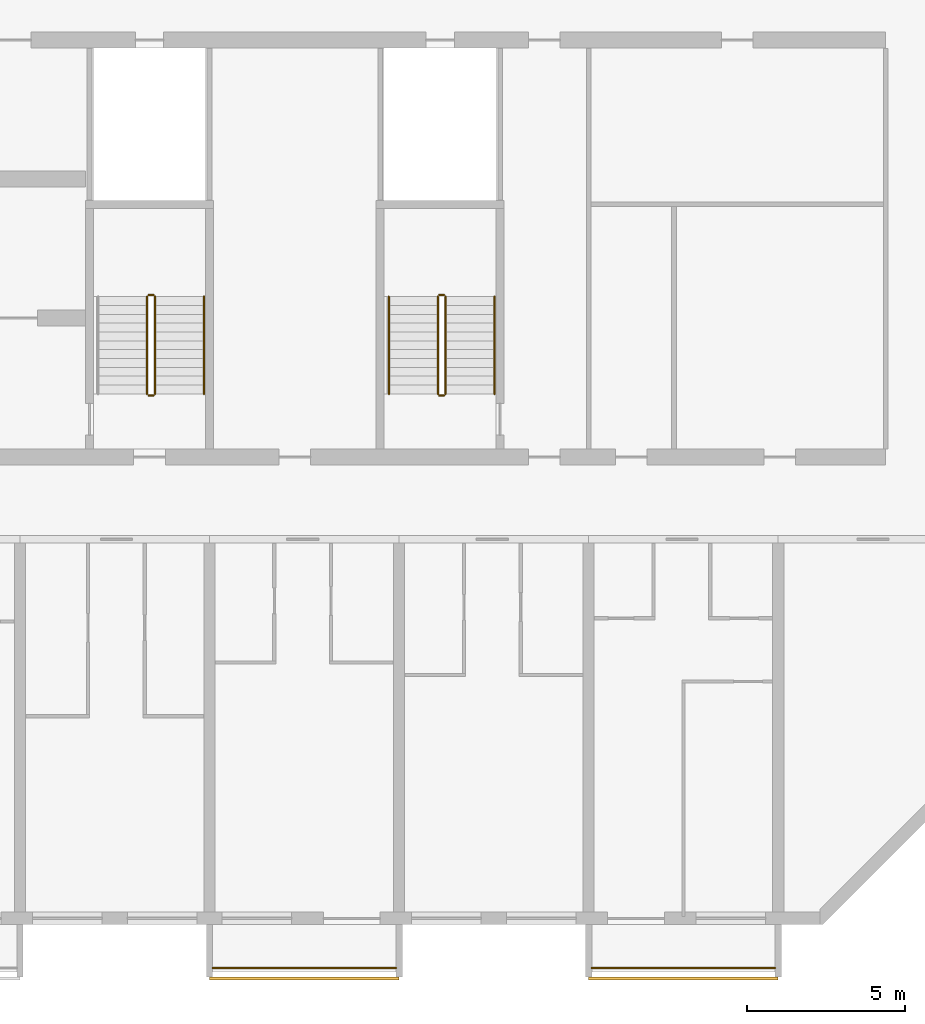
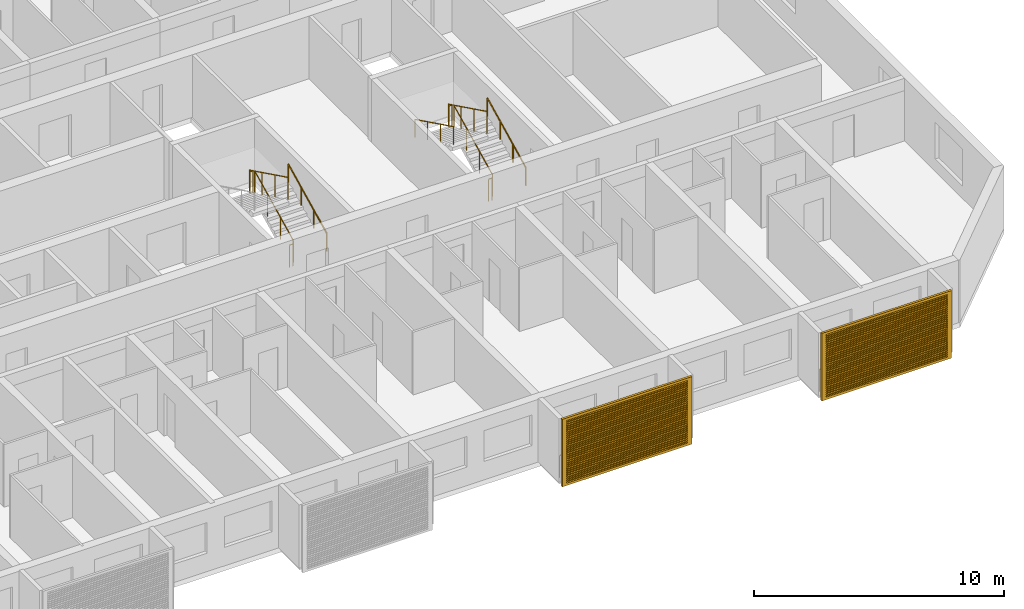
# One storey, part 26 of 30: 13 railings, 2 shading devices.
"""IFC4 building model written with IfcOpenShell, lengths in metres."""

from ifc_helpers import new_model, si_unit, direction, frame, origin, origin_2d, place, context, subcontext, project, spatial, polyline, circle, outline, extrude, source, transform, mapped, material, material_profile, profile_set, type_object, element, save


model = new_model("IFC4")

# Units and contexts
model_context = context("Model", 3, precision=1e-05, world=origin(), true_north=direction((0.0, 1.0)))
body_context = subcontext(model_context, "Body", "Model", "MODEL_VIEW")
ifc_project = project(units=[si_unit("LENGTHUNIT", "METRE"), si_unit("AREAUNIT", "SQUARE_METRE"), si_unit("VOLUMEUNIT", "CUBIC_METRE"), si_unit("PLANEANGLEUNIT", "RADIAN"), si_unit("MASSUNIT", "GRAM", prefix="KILO")], contexts=[model_context])

# Site, building, storey
site_placement = place(None, origin())
site = spatial("IfcSite", under=ifc_project, at=site_placement, CompositionType="ELEMENT")
building_placement = place(site_placement, origin())
building = spatial("IfcBuilding", under=site, at=building_placement, Name="Poui Terraces", CompositionType="ELEMENT")
storey_placement = place(building_placement, frame((0.0, 0.0, 99.300048828125)))
storey = spatial("IfcBuildingStorey", under=building, at=storey_placement, Name="L27", CompositionType="ELEMENT", Elevation=99.300048828125)

# Railings
ifc_material_1 = material(Name="Painted steel fretwork", Category="steel")
railing_type_1 = type_object("IfcRailingType", Name="BALCONY GUARD 1100", PredefinedType="GUARDRAIL", material=ifc_material_1)
for number, where, name in (
    (1, (72.10009765625, -1.570068359375, 0.0), "BALCONY GUARD"),
    (2, (84.10009765625, -1.570068359375, 0.0), "BALCONY GUARD"),
):
    element("IfcRailing", number, at=place(storey_placement, frame(where)), inside=storey, type_object=railing_type_1, Name=name, PredefinedType="GUARDRAIL", context=body_context, shape_type="SweptSolid", body=[
        extrude(circle(Radius=0.02392578125, at=origin_2d()), frame((0.0, 0.0, 1.076171875), z_axis=(1.0, 0.0, 0.0), x_axis=(0.0, 1.0, 0.0)), (0.0, 0.0, 1.0), 5.7998046875),
        extrude(circle(Radius=0.02099609375, at=origin_2d()), origin(), (0.0, 0.0, 1.0), 1.052001953125),
        extrude(circle(Radius=0.02099609375, at=origin_2d()), frame((0.966552734375, 0.0, 0.0)), (0.0, 0.0, 1.0), 1.052001953125),
        extrude(circle(Radius=0.02099609375, at=origin_2d()), frame((1.933349609375, 0.0, 0.0)), (0.0, 0.0, 1.0), 1.052001953125),
        extrude(circle(Radius=0.02099609375, at=origin_2d()), frame((2.89990234375, 0.0, 0.0)), (0.0, 0.0, 1.0), 1.052001953125),
        extrude(circle(Radius=0.02099609375, at=origin_2d()), frame((3.866455078125, 0.0, 0.0)), (0.0, 0.0, 1.0), 1.052001953125),
        extrude(circle(Radius=0.02099609375, at=origin_2d()), frame((4.833251953125, 0.0, 0.0)), (0.0, 0.0, 1.0), 1.052001953125),
        extrude(circle(Radius=0.02099609375, at=origin_2d()), frame((5.7998046875, 0.0, 0.0)), (0.0, 0.0, 1.0), 1.052001953125),
    ])
ifc_material_2 = material(Name="Galvanised steel balustrade", Category="steel")
railing_type_2 = type_object("IfcRailingType", Name="STAIR GUARD 1100", PredefinedType="GUARDRAIL", material=ifc_material_2)
railing_1_placement = place(storey_placement, frame((70.27490234375, 16.60009765625, 0.137451171875)))
element("IfcRailing", 3, at=railing_1_placement, inside=storey, type_object=railing_type_2, Name="L27 ST-CE stair guard 1", PredefinedType="GUARDRAIL", context=body_context, shape_type="SweptSolid", body=[
    extrude(circle(Radius=0.02392578125, at=origin_2d()), frame((0.0, 0.0, 1.076171875), z_axis=(0.0, 0.897606190399, 0.440798283751), x_axis=(-1.0, 0.0, 0.0)), (0.0, 0.0, 1.0), 3.43115234375),
    extrude(circle(Radius=0.02099609375, at=origin_2d()), origin(), (0.0, 0.0, 1.0), 1.052001953125),
    extrude(circle(Radius=0.02099609375, at=origin_2d()), frame((0.0, 1.026611328125, 0.504150390625)), (0.0, 0.0, 1.0), 1.052001953125),
    extrude(circle(Radius=0.02099609375, at=origin_2d()), frame((0.0, 2.05322265625, 1.00830078125)), (0.0, 0.0, 1.0), 1.052001953125),
    extrude(circle(Radius=0.02099609375, at=origin_2d()), frame((0.0, 3.079833984375, 1.512451171875)), (0.0, 0.0, 1.0), 1.052001953125),
])
railing_2_placement = place(storey_placement, frame((70.22509765625, 19.72998046875, 1.64990234375)))
element("IfcRailing", 4, at=railing_2_placement, inside=storey, type_object=railing_type_2, Name="L27 ST-CE stair guard 2", PredefinedType="GUARDRAIL", context=body_context, shape_type="SweptSolid", body=[
    extrude(circle(Radius=0.02392578125, at=origin_2d()), frame((0.0, 0.0, 1.076171875), z_axis=(-1.0, 0.0, 0.0), x_axis=(0.0, -1.0, 0.0)), (0.0, 0.0, 1.0), 0.150146484375),
    extrude(circle(Radius=0.02099609375, at=origin_2d()), origin(), (0.0, 0.0, 1.0), 1.052001953125),
    extrude(circle(Radius=0.02099609375, at=origin_2d()), frame((-0.150146484375, 0.0, 0.0)), (0.0, 0.0, 1.0), 1.052001953125),
])
railing_3_placement = place(storey_placement, frame((70.02490234375, 19.679931640625, 1.787353515625)))
element("IfcRailing", 5, at=railing_3_placement, inside=storey, type_object=railing_type_2, Name="L27 ST-CE stair guard 3", PredefinedType="GUARDRAIL", context=body_context, shape_type="SweptSolid", body=[
    extrude(circle(Radius=0.02392578125, at=origin_2d()), frame((0.0, 0.0, 1.076171875), z_axis=(0.0, -0.897578036475, 0.440855609512), x_axis=(1.0, 0.0, 0.0)), (0.0, 0.0, 1.0), 3.43115234375),
    extrude(circle(Radius=0.02099609375, at=origin_2d()), origin(), (0.0, 0.0, 1.0), 1.052001953125),
    extrude(circle(Radius=0.02099609375, at=origin_2d()), frame((0.0, -1.026611328125, 0.504150390625)), (0.0, 0.0, 1.0), 1.052001953125),
    extrude(circle(Radius=0.02099609375, at=origin_2d()), frame((0.0, -2.05322265625, 1.008544921875)), (0.0, 0.0, 1.0), 1.052001953125),
    extrude(circle(Radius=0.02099609375, at=origin_2d()), frame((0.0, -3.079833984375, 1.5126953125)), (0.0, 0.0, 1.0), 1.052001953125),
])
railing_4_placement = place(storey_placement, frame((70.22509765625, 16.550048828125, 0.0)))
element("IfcRailing", 6, at=railing_4_placement, inside=storey, type_object=railing_type_2, Name="L27 ST-CE stair guard 4", PredefinedType="GUARDRAIL", context=body_context, shape_type="SweptSolid", body=[
    extrude(circle(Radius=0.02392578125, at=origin_2d()), frame((0.0, 0.0, 1.076171875), z_axis=(-1.0, 0.0, 0.0), x_axis=(0.0, -1.0, 0.0)), (0.0, 0.0, 1.0), 0.150146484375),
    extrude(circle(Radius=0.02099609375, at=origin_2d()), origin(), (0.0, 0.0, 1.0), 1.052001953125),
    extrude(circle(Radius=0.02099609375, at=origin_2d()), frame((-0.150146484375, 0.0, 0.0)), (0.0, 0.0, 1.0), 1.052001953125),
])
railing_5_placement = place(storey_placement, frame((79.47509765625, 16.60009765625, 0.137451171875)))
element("IfcRailing", 7, at=railing_5_placement, inside=storey, type_object=railing_type_2, Name="L27 ST-E stair guard 1", PredefinedType="GUARDRAIL", context=body_context, shape_type="SweptSolid", body=[
    extrude(circle(Radius=0.02392578125, at=origin_2d()), frame((0.0, 0.0, 1.076171875), z_axis=(0.0, 0.897606190399, 0.440798283751), x_axis=(-1.0, 0.0, 0.0)), (0.0, 0.0, 1.0), 3.43115234375),
    extrude(circle(Radius=0.02099609375, at=origin_2d()), origin(), (0.0, 0.0, 1.0), 1.052001953125),
    extrude(circle(Radius=0.02099609375, at=origin_2d()), frame((0.0, 1.026611328125, 0.504150390625)), (0.0, 0.0, 1.0), 1.052001953125),
    extrude(circle(Radius=0.02099609375, at=origin_2d()), frame((0.0, 2.05322265625, 1.00830078125)), (0.0, 0.0, 1.0), 1.052001953125),
    extrude(circle(Radius=0.02099609375, at=origin_2d()), frame((0.0, 3.079833984375, 1.512451171875)), (0.0, 0.0, 1.0), 1.052001953125),
])
railing_6_placement = place(storey_placement, frame((79.425048828125, 19.72998046875, 1.64990234375)))
element("IfcRailing", 8, at=railing_6_placement, inside=storey, type_object=railing_type_2, Name="L27 ST-E stair guard 2", PredefinedType="GUARDRAIL", context=body_context, shape_type="SweptSolid", body=[
    extrude(circle(Radius=0.02392578125, at=origin_2d()), frame((0.0, 0.0, 1.076171875), z_axis=(-1.0, 0.0, 0.0), x_axis=(0.0, -1.0, 0.0)), (0.0, 0.0, 1.0), 0.150146484375),
    extrude(circle(Radius=0.02099609375, at=origin_2d()), origin(), (0.0, 0.0, 1.0), 1.052001953125),
    extrude(circle(Radius=0.02099609375, at=origin_2d()), frame((-0.150146484375, 0.0, 0.0)), (0.0, 0.0, 1.0), 1.052001953125),
])
railing_7_placement = place(storey_placement, frame((79.22509765625, 19.679931640625, 1.787353515625)))
element("IfcRailing", 9, at=railing_7_placement, inside=storey, type_object=railing_type_2, Name="L27 ST-E stair guard 3", PredefinedType="GUARDRAIL", context=body_context, shape_type="SweptSolid", body=[
    extrude(circle(Radius=0.02392578125, at=origin_2d()), frame((0.0, 0.0, 1.076171875), z_axis=(0.0, -0.897578036475, 0.440855609512), x_axis=(1.0, 0.0, 0.0)), (0.0, 0.0, 1.0), 3.43115234375),
    extrude(circle(Radius=0.02099609375, at=origin_2d()), origin(), (0.0, 0.0, 1.0), 1.052001953125),
    extrude(circle(Radius=0.02099609375, at=origin_2d()), frame((0.0, -1.026611328125, 0.504150390625)), (0.0, 0.0, 1.0), 1.052001953125),
    extrude(circle(Radius=0.02099609375, at=origin_2d()), frame((0.0, -2.05322265625, 1.008544921875)), (0.0, 0.0, 1.0), 1.052001953125),
    extrude(circle(Radius=0.02099609375, at=origin_2d()), frame((0.0, -3.079833984375, 1.5126953125)), (0.0, 0.0, 1.0), 1.052001953125),
])
railing_8_placement = place(storey_placement, frame((79.425048828125, 16.550048828125, 0.0)))
element("IfcRailing", 10, at=railing_8_placement, inside=storey, type_object=railing_type_2, Name="L27 ST-E stair guard 4", PredefinedType="GUARDRAIL", context=body_context, shape_type="SweptSolid", body=[
    extrude(circle(Radius=0.02392578125, at=origin_2d()), frame((0.0, 0.0, 1.076171875), z_axis=(-1.0, 0.0, 0.0), x_axis=(0.0, -1.0, 0.0)), (0.0, 0.0, 1.0), 0.150146484375),
    extrude(circle(Radius=0.02099609375, at=origin_2d()), origin(), (0.0, 0.0, 1.0), 1.052001953125),
    extrude(circle(Radius=0.02099609375, at=origin_2d()), frame((-0.150146484375, 0.0, 0.0)), (0.0, 0.0, 1.0), 1.052001953125),
])
ifc_material_3 = material(Name="Stainless steel handrail", Category="steel")
railing_type_3 = type_object("IfcRailingType", Name="STAIR HANDRAIL 900", PredefinedType="HANDRAIL", material=ifc_material_3)
for number, where, name in (
    (11, (71.824951171875, 16.60009765625, 0.137451171875), "L27 ST-CE stair handrail 1"),
    (12, (81.02490234375, 16.60009765625, 0.137451171875), "L27 ST-E stair handrail 1"),
):
    element("IfcRailing", number, at=place(storey_placement, frame(where)), inside=storey, type_object=railing_type_3, Name=name, PredefinedType="HANDRAIL", context=body_context, shape_type="SweptSolid", body=[
        extrude(circle(Radius=0.02392578125, at=origin_2d()), frame((0.0, 0.0, 0.8759765625), z_axis=(0.0, 0.897606190399, 0.440798283751), x_axis=(-1.0, 0.0, 0.0)), (0.0, 0.0, 1.0), 3.43115234375),
        extrude(circle(Radius=0.02099609375, at=origin_2d()), origin(), (0.0, 0.0, 1.0), 0.851806640625),
        extrude(circle(Radius=0.02099609375, at=origin_2d()), frame((0.0, 1.026611328125, 0.504150390625)), (0.0, 0.0, 1.0), 0.851806640625),
        extrude(circle(Radius=0.02099609375, at=origin_2d()), frame((0.0, 2.05322265625, 1.00830078125)), (0.0, 0.0, 1.0), 0.851806640625),
        extrude(circle(Radius=0.02099609375, at=origin_2d()), frame((0.0, 3.079833984375, 1.512451171875)), (0.0, 0.0, 1.0), 0.851806640625),
    ])
railing_9_placement = place(storey_placement, frame((77.675048828125, 19.679931640625, 1.787353515625)))
element("IfcRailing", 13, at=railing_9_placement, inside=storey, type_object=railing_type_3, Name="L27 ST-E stair handrail 2", PredefinedType="HANDRAIL", context=body_context, shape_type="SweptSolid", body=[
    extrude(circle(Radius=0.02392578125, at=origin_2d()), frame((0.0, 0.0, 0.8759765625), z_axis=(0.0, -0.897578036475, 0.440855609512), x_axis=(1.0, 0.0, 0.0)), (0.0, 0.0, 1.0), 3.43115234375),
    extrude(circle(Radius=0.02099609375, at=origin_2d()), origin(), (0.0, 0.0, 1.0), 0.851806640625),
    extrude(circle(Radius=0.02099609375, at=origin_2d()), frame((0.0, -1.026611328125, 0.504150390625)), (0.0, 0.0, 1.0), 0.851806640625),
    extrude(circle(Radius=0.02099609375, at=origin_2d()), frame((0.0, -2.05322265625, 1.008544921875)), (0.0, 0.0, 1.0), 0.851806640625),
    extrude(circle(Radius=0.02099609375, at=origin_2d()), frame((0.0, -3.079833984375, 1.5126953125)), (0.0, 0.0, 1.0), 0.851806640625),
])

# Shading devices
ifc_material_4 = material(Name="Aluminium louvre", Category="aluminium")
ifc_material_profile = material_profile(ifc_material_4, outline(polyline([(-3.0, -1.64990234375), (3.0, -1.64990234375), (3.0, 1.64990234375), (-3.0, 1.64990234375), (-3.0, -1.64990234375)]), holes=[polyline([(-2.800048828125, -1.530029296875), (2.800048828125, -1.530029296875), (2.800048828125, -1.469970703125), (-2.800048828125, -1.469970703125), (-2.800048828125, -1.530029296875)]), polyline([(-2.800048828125, -1.429931640625), (2.800048828125, -1.429931640625), (2.800048828125, -1.3701171875), (-2.800048828125, -1.3701171875), (-2.800048828125, -1.429931640625)]), polyline([(-2.800048828125, -1.330078125), (2.800048828125, -1.330078125), (2.800048828125, -1.27001953125), (-2.800048828125, -1.27001953125), (-2.800048828125, -1.330078125)]), polyline([(-2.800048828125, -1.22998046875), (2.800048828125, -1.22998046875), (2.800048828125, -1.169921875), (-2.800048828125, -1.169921875), (-2.800048828125, -1.22998046875)]), polyline([(-2.800048828125, -1.1298828125), (2.800048828125, -1.1298828125), (2.800048828125, -1.070068359375), (-2.800048828125, -1.070068359375), (-2.800048828125, -1.1298828125)]), polyline([(-2.800048828125, -1.030029296875), (2.800048828125, -1.030029296875), (2.800048828125, -0.969970703125), (-2.800048828125, -0.969970703125), (-2.800048828125, -1.030029296875)]), polyline([(-2.800048828125, -0.929931640625), (2.800048828125, -0.929931640625), (2.800048828125, -0.8701171875), (-2.800048828125, -0.8701171875), (-2.800048828125, -0.929931640625)]), polyline([(-2.800048828125, -0.830078125), (2.800048828125, -0.830078125), (2.800048828125, -0.77001953125), (-2.800048828125, -0.77001953125), (-2.800048828125, -0.830078125)]), polyline([(-2.800048828125, -0.72998046875), (2.800048828125, -0.72998046875), (2.800048828125, -0.669921875), (-2.800048828125, -0.669921875), (-2.800048828125, -0.72998046875)]), polyline([(-2.800048828125, -0.6298828125), (2.800048828125, -0.6298828125), (2.800048828125, -0.570068359375), (-2.800048828125, -0.570068359375), (-2.800048828125, -0.6298828125)]), polyline([(-2.800048828125, -0.530029296875), (2.800048828125, -0.530029296875), (2.800048828125, -0.469970703125), (-2.800048828125, -0.469970703125), (-2.800048828125, -0.530029296875)]), polyline([(-2.800048828125, -0.429931640625), (2.800048828125, -0.429931640625), (2.800048828125, -0.3701171875), (-2.800048828125, -0.3701171875), (-2.800048828125, -0.429931640625)]), polyline([(-2.800048828125, -0.330078125), (2.800048828125, -0.330078125), (2.800048828125, -0.27001953125), (-2.800048828125, -0.27001953125), (-2.800048828125, -0.330078125)]), polyline([(-2.800048828125, -0.22998046875), (2.800048828125, -0.22998046875), (2.800048828125, -0.169921875), (-2.800048828125, -0.169921875), (-2.800048828125, -0.22998046875)]), polyline([(-2.800048828125, -0.1298828125), (2.800048828125, -0.1298828125), (2.800048828125, -0.070068359375), (-2.800048828125, -0.070068359375), (-2.800048828125, -0.1298828125)]), polyline([(-2.800048828125, -0.030029296875), (2.800048828125, -0.030029296875), (2.800048828125, 0.030029296875), (-2.800048828125, 0.030029296875), (-2.800048828125, -0.030029296875)]), polyline([(-2.800048828125, 0.070068359375), (2.800048828125, 0.070068359375), (2.800048828125, 0.1298828125), (-2.800048828125, 0.1298828125), (-2.800048828125, 0.070068359375)]), polyline([(-2.800048828125, 0.169921875), (2.800048828125, 0.169921875), (2.800048828125, 0.22998046875), (-2.800048828125, 0.22998046875), (-2.800048828125, 0.169921875)]), polyline([(-2.800048828125, 0.27001953125), (2.800048828125, 0.27001953125), (2.800048828125, 0.330078125), (-2.800048828125, 0.330078125), (-2.800048828125, 0.27001953125)]), polyline([(-2.800048828125, 0.3701171875), (2.800048828125, 0.3701171875), (2.800048828125, 0.429931640625), (-2.800048828125, 0.429931640625), (-2.800048828125, 0.3701171875)]), polyline([(-2.800048828125, 0.469970703125), (2.800048828125, 0.469970703125), (2.800048828125, 0.530029296875), (-2.800048828125, 0.530029296875), (-2.800048828125, 0.469970703125)]), polyline([(-2.800048828125, 0.570068359375), (2.800048828125, 0.570068359375), (2.800048828125, 0.6298828125), (-2.800048828125, 0.6298828125), (-2.800048828125, 0.570068359375)]), polyline([(-2.800048828125, 0.669921875), (2.800048828125, 0.669921875), (2.800048828125, 0.72998046875), (-2.800048828125, 0.72998046875), (-2.800048828125, 0.669921875)]), polyline([(-2.800048828125, 0.77001953125), (2.800048828125, 0.77001953125), (2.800048828125, 0.830078125), (-2.800048828125, 0.830078125), (-2.800048828125, 0.77001953125)]), polyline([(-2.800048828125, 0.8701171875), (2.800048828125, 0.8701171875), (2.800048828125, 0.929931640625), (-2.800048828125, 0.929931640625), (-2.800048828125, 0.8701171875)]), polyline([(-2.800048828125, 0.969970703125), (2.800048828125, 0.969970703125), (2.800048828125, 1.030029296875), (-2.800048828125, 1.030029296875), (-2.800048828125, 0.969970703125)]), polyline([(-2.800048828125, 1.070068359375), (2.800048828125, 1.070068359375), (2.800048828125, 1.1298828125), (-2.800048828125, 1.1298828125), (-2.800048828125, 1.070068359375)]), polyline([(-2.800048828125, 1.169921875), (2.800048828125, 1.169921875), (2.800048828125, 1.22998046875), (-2.800048828125, 1.22998046875), (-2.800048828125, 1.169921875)]), polyline([(-2.800048828125, 1.27001953125), (2.800048828125, 1.27001953125), (2.800048828125, 1.330078125), (-2.800048828125, 1.330078125), (-2.800048828125, 1.27001953125)]), polyline([(-2.800048828125, 1.3701171875), (2.800048828125, 1.3701171875), (2.800048828125, 1.429931640625), (-2.800048828125, 1.429931640625), (-2.800048828125, 1.3701171875)]), polyline([(-2.800048828125, 1.469970703125), (2.800048828125, 1.469970703125), (2.800048828125, 1.530029296875), (-2.800048828125, 1.530029296875), (-2.800048828125, 1.469970703125)])]), Name="JALOUSIE LOUVRE SHUTTER 6000X3300")
ifc_profile_set = profile_set([ifc_material_profile], Name="Aluminium louvre")
shading_device_type = type_object("IfcShadingDeviceType", Name="JALOUSIE LOUVRE SHUTTER 6000X3300", PredefinedType="JALOUSIE", material=ifc_profile_set)
shared_shape = source(origin(), body_context, "Body", "SweptSolid", [
    extrude(outline(polyline([(-3.0, -1.64990234375), (3.0, -1.64990234375), (3.0, 1.64990234375), (-3.0, 1.64990234375), (-3.0, -1.64990234375)]), holes=[polyline([(-2.800048828125, -1.530029296875), (2.800048828125, -1.530029296875), (2.800048828125, -1.469970703125), (-2.800048828125, -1.469970703125), (-2.800048828125, -1.530029296875)]), polyline([(-2.800048828125, -1.429931640625), (2.800048828125, -1.429931640625), (2.800048828125, -1.3701171875), (-2.800048828125, -1.3701171875), (-2.800048828125, -1.429931640625)]), polyline([(-2.800048828125, -1.330078125), (2.800048828125, -1.330078125), (2.800048828125, -1.27001953125), (-2.800048828125, -1.27001953125), (-2.800048828125, -1.330078125)]), polyline([(-2.800048828125, -1.22998046875), (2.800048828125, -1.22998046875), (2.800048828125, -1.169921875), (-2.800048828125, -1.169921875), (-2.800048828125, -1.22998046875)]), polyline([(-2.800048828125, -1.1298828125), (2.800048828125, -1.1298828125), (2.800048828125, -1.070068359375), (-2.800048828125, -1.070068359375), (-2.800048828125, -1.1298828125)]), polyline([(-2.800048828125, -1.030029296875), (2.800048828125, -1.030029296875), (2.800048828125, -0.969970703125), (-2.800048828125, -0.969970703125), (-2.800048828125, -1.030029296875)]), polyline([(-2.800048828125, -0.929931640625), (2.800048828125, -0.929931640625), (2.800048828125, -0.8701171875), (-2.800048828125, -0.8701171875), (-2.800048828125, -0.929931640625)]), polyline([(-2.800048828125, -0.830078125), (2.800048828125, -0.830078125), (2.800048828125, -0.77001953125), (-2.800048828125, -0.77001953125), (-2.800048828125, -0.830078125)]), polyline([(-2.800048828125, -0.72998046875), (2.800048828125, -0.72998046875), (2.800048828125, -0.669921875), (-2.800048828125, -0.669921875), (-2.800048828125, -0.72998046875)]), polyline([(-2.800048828125, -0.6298828125), (2.800048828125, -0.6298828125), (2.800048828125, -0.570068359375), (-2.800048828125, -0.570068359375), (-2.800048828125, -0.6298828125)]), polyline([(-2.800048828125, -0.530029296875), (2.800048828125, -0.530029296875), (2.800048828125, -0.469970703125), (-2.800048828125, -0.469970703125), (-2.800048828125, -0.530029296875)]), polyline([(-2.800048828125, -0.429931640625), (2.800048828125, -0.429931640625), (2.800048828125, -0.3701171875), (-2.800048828125, -0.3701171875), (-2.800048828125, -0.429931640625)]), polyline([(-2.800048828125, -0.330078125), (2.800048828125, -0.330078125), (2.800048828125, -0.27001953125), (-2.800048828125, -0.27001953125), (-2.800048828125, -0.330078125)]), polyline([(-2.800048828125, -0.22998046875), (2.800048828125, -0.22998046875), (2.800048828125, -0.169921875), (-2.800048828125, -0.169921875), (-2.800048828125, -0.22998046875)]), polyline([(-2.800048828125, -0.1298828125), (2.800048828125, -0.1298828125), (2.800048828125, -0.070068359375), (-2.800048828125, -0.070068359375), (-2.800048828125, -0.1298828125)]), polyline([(-2.800048828125, -0.030029296875), (2.800048828125, -0.030029296875), (2.800048828125, 0.030029296875), (-2.800048828125, 0.030029296875), (-2.800048828125, -0.030029296875)]), polyline([(-2.800048828125, 0.070068359375), (2.800048828125, 0.070068359375), (2.800048828125, 0.1298828125), (-2.800048828125, 0.1298828125), (-2.800048828125, 0.070068359375)]), polyline([(-2.800048828125, 0.169921875), (2.800048828125, 0.169921875), (2.800048828125, 0.22998046875), (-2.800048828125, 0.22998046875), (-2.800048828125, 0.169921875)]), polyline([(-2.800048828125, 0.27001953125), (2.800048828125, 0.27001953125), (2.800048828125, 0.330078125), (-2.800048828125, 0.330078125), (-2.800048828125, 0.27001953125)]), polyline([(-2.800048828125, 0.3701171875), (2.800048828125, 0.3701171875), (2.800048828125, 0.429931640625), (-2.800048828125, 0.429931640625), (-2.800048828125, 0.3701171875)]), polyline([(-2.800048828125, 0.469970703125), (2.800048828125, 0.469970703125), (2.800048828125, 0.530029296875), (-2.800048828125, 0.530029296875), (-2.800048828125, 0.469970703125)]), polyline([(-2.800048828125, 0.570068359375), (2.800048828125, 0.570068359375), (2.800048828125, 0.6298828125), (-2.800048828125, 0.6298828125), (-2.800048828125, 0.570068359375)]), polyline([(-2.800048828125, 0.669921875), (2.800048828125, 0.669921875), (2.800048828125, 0.72998046875), (-2.800048828125, 0.72998046875), (-2.800048828125, 0.669921875)]), polyline([(-2.800048828125, 0.77001953125), (2.800048828125, 0.77001953125), (2.800048828125, 0.830078125), (-2.800048828125, 0.830078125), (-2.800048828125, 0.77001953125)]), polyline([(-2.800048828125, 0.8701171875), (2.800048828125, 0.8701171875), (2.800048828125, 0.929931640625), (-2.800048828125, 0.929931640625), (-2.800048828125, 0.8701171875)]), polyline([(-2.800048828125, 0.969970703125), (2.800048828125, 0.969970703125), (2.800048828125, 1.030029296875), (-2.800048828125, 1.030029296875), (-2.800048828125, 0.969970703125)]), polyline([(-2.800048828125, 1.070068359375), (2.800048828125, 1.070068359375), (2.800048828125, 1.1298828125), (-2.800048828125, 1.1298828125), (-2.800048828125, 1.070068359375)]), polyline([(-2.800048828125, 1.169921875), (2.800048828125, 1.169921875), (2.800048828125, 1.22998046875), (-2.800048828125, 1.22998046875), (-2.800048828125, 1.169921875)]), polyline([(-2.800048828125, 1.27001953125), (2.800048828125, 1.27001953125), (2.800048828125, 1.330078125), (-2.800048828125, 1.330078125), (-2.800048828125, 1.27001953125)]), polyline([(-2.800048828125, 1.3701171875), (2.800048828125, 1.3701171875), (2.800048828125, 1.429931640625), (-2.800048828125, 1.429931640625), (-2.800048828125, 1.3701171875)]), polyline([(-2.800048828125, 1.469970703125), (2.800048828125, 1.469970703125), (2.800048828125, 1.530029296875), (-2.800048828125, 1.530029296875), (-2.800048828125, 1.469970703125)])]), origin(), (0.0, 0.0, 1.0), 0.099853515625),
])
for number, where, z_axis, x_axis, name in (
    (14, (75.0, -1.85009765625, 1.449951171875), (0.0, -1.0, 0.0), (1.0, 0.0, 0.0), "JALOUSIE LOUVRE SHUTTER"),
    (15, (87.0, -1.85009765625, 1.449951171875), (0.0, -1.0, 0.0), (1.0, 0.0, 0.0), "JALOUSIE LOUVRE SHUTTER"),
):
    element("IfcShadingDevice", number, at=place(storey_placement, frame(where, z_axis=z_axis, x_axis=x_axis)), inside=storey, type_object=shading_device_type, Name=name, PredefinedType="JALOUSIE", context=body_context, shape_type="MappedRepresentation", body=[
        mapped(shared_shape, transform((0.0, 0.0, 0.0))),
    ])

save(model, "model.ifc")
